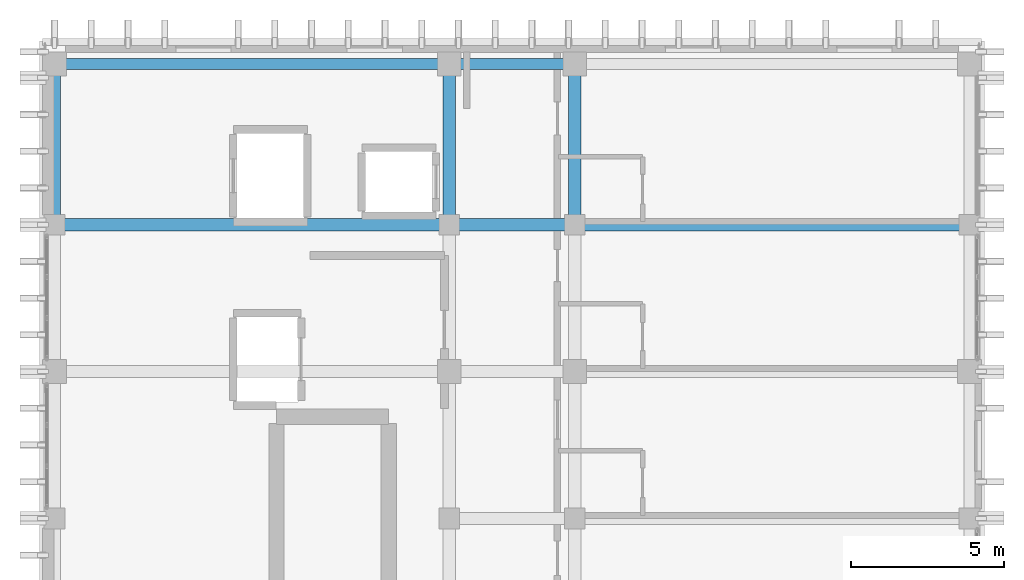
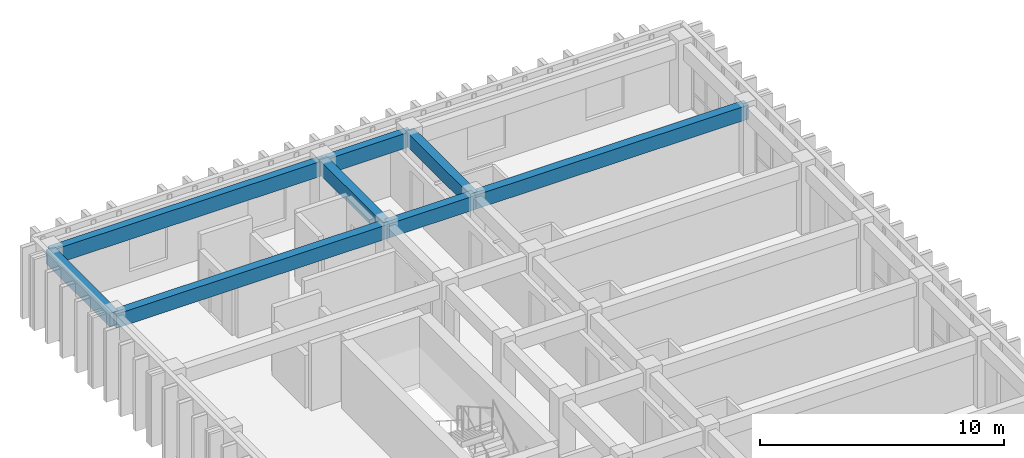
# One storey, part 50 of 68: 8 beams.
"""IFC4 building model written with IfcOpenShell, lengths in metres."""

from ifc_helpers import new_model, si_unit, direction, frame, origin, origin_2d, place, context, subcontext, project, spatial, rectangle, extrude, material, material_profile, profile_set, type_object, element, save


model = new_model("IFC4")

# Units and contexts
model_context = context("Model", 3, precision=1e-05, world=origin(), true_north=direction((0.0, 1.0)))
body_context = subcontext(model_context, "Body", "Model", "MODEL_VIEW")
ifc_project = project(units=[si_unit("LENGTHUNIT", "METRE"), si_unit("AREAUNIT", "SQUARE_METRE"), si_unit("VOLUMEUNIT", "CUBIC_METRE"), si_unit("PLANEANGLEUNIT", "RADIAN"), si_unit("MASSUNIT", "GRAM", prefix="KILO")], contexts=[model_context])

# Site, building, storey
site_placement = place(None, origin())
site = spatial("IfcSite", under=ifc_project, at=site_placement, CompositionType="ELEMENT")
building_placement = place(site_placement, origin())
building = spatial("IfcBuilding", under=site, at=building_placement, Name="Nakhvara Creek Congress Hotel", CompositionType="ELEMENT")
storey_placement = place(building_placement, frame((0.0, 0.0, 24.60009765625)))
storey = spatial("IfcBuildingStorey", under=building, at=storey_placement, Name="L05", CompositionType="ELEMENT", Elevation=24.60009765625)

# Beams
ifc_material = material(Name="Concrete C40/50", Category="concrete")
ifc_material_profile_1 = material_profile(ifc_material, rectangle(XDim=0.39990234375, YDim=0.699951171875, at=origin_2d()), Name="RC-BM 400x700", Category="LoadBearing")
ifc_profile_set_1 = profile_set([ifc_material_profile_1], Name="Concrete C40/50")
beam_type_1 = type_object("IfcBeamType", Name="BM-RC-400X700", PredefinedType="BEAM", material=ifc_profile_set_1)
for number, where, z_axis, x_axis, name in (
    (1, (149.449951171875, 120.0, 2.989990234375), (0.0, 1.0, 0.0), (-1.0, 0.0, 0.0), "Beam B05-L05-2086"),
    (2, (162.35009765625, 120.0, 2.989990234375), (0.0, 1.0, 0.0), (-1.0, 0.0, 0.0), "Beam B05-L05-2117"),
    (3, (166.449951171875, 120.0, 2.989990234375), (0.0, 1.0, 0.0), (-1.0, 0.0, 0.0), "Beam B05-L05-2146"),
):
    element("IfcBeam", number, at=place(storey_placement, frame(where, z_axis=z_axis, x_axis=x_axis)), inside=storey, type_object=beam_type_1, Name=name, PredefinedType="BEAM", context=body_context, shape_type="SweptSolid", body=[
        extrude(rectangle(XDim=0.39990234375, YDim=0.699951171875, at=origin_2d()), origin(), (0.0, 0.0, 1.0), 5.25),
    ])
beam_1_placement = place(storey_placement, frame((149.449951171875, 120.0, 2.989990234375), z_axis=(1.0, 0.0, 0.0), x_axis=(0.0, 1.0, 0.0)))
element("IfcBeam", 4, at=beam_1_placement, inside=storey, type_object=beam_type_1, Name="Beam B05-L05-2174", PredefinedType="BEAM", context=body_context, shape_type="SweptSolid", body=[
    extrude(rectangle(XDim=0.39990234375, YDim=0.699951171875, at=origin_2d()), origin(), (0.0, 0.0, 1.0), 12.900146484375),
])
beam_2_placement = place(storey_placement, frame((162.35009765625, 120.0, 2.989990234375), z_axis=(1.0, 0.0, 0.0), x_axis=(0.0, 1.0, 0.0)))
element("IfcBeam", 5, at=beam_2_placement, inside=storey, type_object=beam_type_1, Name="Beam B05-L05-2184", PredefinedType="BEAM", context=body_context, shape_type="SweptSolid", body=[
    extrude(rectangle(XDim=0.39990234375, YDim=0.699951171875, at=origin_2d()), origin(), (0.0, 0.0, 1.0), 4.099853515625),
])
beam_3_placement = place(storey_placement, frame((166.449951171875, 120.0, 2.989990234375), z_axis=(1.0, 0.0, 0.0), x_axis=(0.0, 1.0, 0.0)))
element("IfcBeam", 6, at=beam_3_placement, inside=storey, type_object=beam_type_1, Name="Beam B05-L05-2192", PredefinedType="BEAM", context=body_context, shape_type="SweptSolid", body=[
    extrude(rectangle(XDim=0.39990234375, YDim=0.699951171875, at=origin_2d()), origin(), (0.0, 0.0, 1.0), 12.900146484375),
])
ifc_material_profile_2 = material_profile(ifc_material, rectangle(XDim=0.35009765625, YDim=0.75, at=origin_2d()), Name="RC-SPANDREL 350x750", Category="LoadBearing")
ifc_profile_set_2 = profile_set([ifc_material_profile_2], Name="Concrete C40/50")
beam_type_2 = type_object("IfcBeamType", Name="BM-SPN-350X750", PredefinedType="SPANDREL", material=ifc_profile_set_2)
beam_4_placement = place(storey_placement, frame((149.449951171875, 125.25, 2.96484375), z_axis=(1.0, 0.0, 0.0), x_axis=(0.0, 1.0, 0.0)))
element("IfcBeam", 7, at=beam_4_placement, inside=storey, type_object=beam_type_2, Name="Beam SP1-L05-2085", PredefinedType="SPANDREL", context=body_context, shape_type="SweptSolid", body=[
    extrude(rectangle(XDim=0.35009765625, YDim=0.75, at=origin_2d()), origin(), (0.0, 0.0, 1.0), 12.900146484375),
])
beam_5_placement = place(storey_placement, frame((162.35009765625, 125.25, 2.96484375), z_axis=(1.0, 0.0, 0.0), x_axis=(0.0, 1.0, 0.0)))
element("IfcBeam", 8, at=beam_5_placement, inside=storey, type_object=beam_type_2, Name="Beam SP1-L05-2116", PredefinedType="SPANDREL", context=body_context, shape_type="SweptSolid", body=[
    extrude(rectangle(XDim=0.35009765625, YDim=0.75, at=origin_2d()), origin(), (0.0, 0.0, 1.0), 4.099853515625),
])

save(model, "model.ifc")
